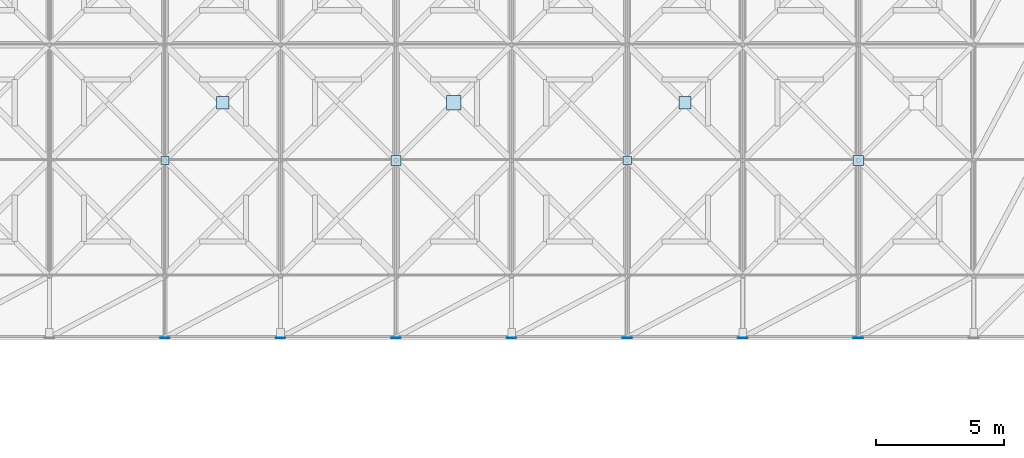
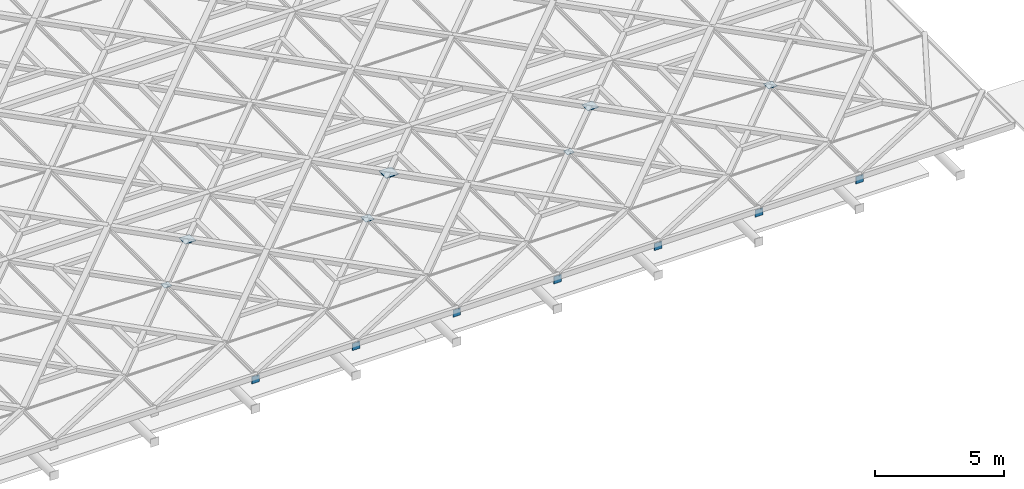
# One storey, part 67 of 80: 14 plates.
"""IFC4 building model written with IfcOpenShell, lengths in metres."""

from ifc_helpers import new_model, si_unit, direction, frame, origin, origin_2d, place, context, subcontext, project, spatial, rectangle, extrude, material, layer, layer_set, type_object, element, save


model = new_model("IFC4")

# Units and contexts
model_context = context("Model", 3, precision=1e-05, world=origin(), true_north=direction((0.0, 1.0)))
body_context = subcontext(model_context, "Body", "Model", "MODEL_VIEW")
ifc_project = project(units=[si_unit("LENGTHUNIT", "METRE"), si_unit("AREAUNIT", "SQUARE_METRE"), si_unit("VOLUMEUNIT", "CUBIC_METRE"), si_unit("PLANEANGLEUNIT", "RADIAN"), si_unit("MASSUNIT", "GRAM", prefix="KILO"), si_unit("THERMODYNAMICTEMPERATUREUNIT", "KELVIN"), si_unit("POWERUNIT", "WATT")], contexts=[model_context])

# Site, building, storey
site_placement = place(None, origin())
site = spatial("IfcSite", under=ifc_project, at=site_placement, CompositionType="ELEMENT")
building_placement = place(site_placement, origin())
building = spatial("IfcBuilding", under=site, at=building_placement, Name="Tallowbark Science Centre", CompositionType="ELEMENT")
storey_placement = place(building_placement, frame((0.0, 0.0, 25.949951171875)))
storey = spatial("IfcBuildingStorey", under=building, at=storey_placement, Name="ROOF", CompositionType="ELEMENT", Elevation=25.949951171875)

# Plates
ifc_material = material(Name="Structural Steel Grade 300PLUS (300 MPa)", Category="steel")
ifc_layer_1 = layer(ifc_material, 0.011962890625)
ifc_layer_set_1 = layer_set([ifc_layer_1], Name="Structural Steel Grade 300PLUS (300 MPa)")
plate_type_1 = type_object("IfcPlateType", Name="PLT-GUS-12", PredefinedType="SHEET", material=ifc_layer_set_1)
for number, where, z_axis, x_axis, name in (
    (1, (72.0, 9.0, 0.44384765625), (0.0, 0.0, 1.0), (1.0, 0.0, 0.0), "Star X-Brace Crossing Gusset Plate TOP-58"),
    (2, (90.0, 9.0, 0.44384765625), (0.0, 0.0, 1.0), (1.0, 0.0, 0.0), "Star X-Brace Crossing Gusset Plate TOP-66"),
):
    element("IfcPlate", number, at=place(storey_placement, frame(where, z_axis=z_axis, x_axis=x_axis)), inside=storey, type_object=plate_type_1, Name=name, PredefinedType="SHEET", context=body_context, shape_type="SweptSolid", body=[
        extrude(rectangle(XDim=0.320068359375, YDim=0.320068359375, at=origin_2d()), origin(), (0.0, 0.0, 1.0), 0.011962890625),
    ])
ifc_layer_2 = layer(ifc_material, 0.02001953125)
ifc_layer_set_2 = layer_set([ifc_layer_2], Name="Structural Steel Grade 300PLUS (300 MPa)")
plate_type_2 = type_object("IfcPlateType", Name="PLT-GUS-20", PredefinedType="SHEET", material=ifc_layer_set_2)
for number, where, z_axis, x_axis, name in (
    (3, (81.0, 9.0, 0.43994140625), (0.0, 0.0, 1.0), (1.0, 0.0, 0.0), "Star X-Brace Crossing Gusset Plate TOP-62"),
    (4, (99.0, 9.0, 0.43994140625), (0.0, 0.0, 1.0), (1.0, 0.0, 0.0), "Star X-Brace Crossing Gusset Plate TOP-70"),
):
    element("IfcPlate", number, at=place(storey_placement, frame(where, z_axis=z_axis, x_axis=x_axis)), inside=storey, type_object=plate_type_2, Name=name, PredefinedType="SHEET", context=body_context, shape_type="SweptSolid", body=[
        extrude(rectangle(XDim=0.39990234375, YDim=0.39990234375, at=origin_2d()), origin(), (0.0, 0.0, 1.0), 0.02001953125),
    ])
ifc_layer_3 = layer(ifc_material, 0.02001953125)
ifc_layer_set_3 = layer_set([ifc_layer_3], Name="Structural Steel Grade 300PLUS (300 MPa)")
plate_type_3 = type_object("IfcPlateType", Name="PLT-GUS-20B", PredefinedType="SHEET", material=ifc_layer_set_3)
for number, where, z_axis, x_axis, name in (
    (5, (72.0, 2.092041015625, 0.02001953125), (0.0, 0.0, 1.0), (1.0, 0.0, 0.0), "Truss Eave End Cap Plate S-4"),
    (6, (76.5, 2.092041015625, 0.02001953125), (0.0, 0.0, 1.0), (1.0, 0.0, 0.0), "Truss Eave End Cap Plate S-5"),
    (7, (81.0, 2.092041015625, 0.02001953125), (0.0, 0.0, 1.0), (1.0, 0.0, 0.0), "Truss Eave End Cap Plate S-6"),
    (8, (85.5, 2.092041015625, 0.02001953125), (0.0, 0.0, 1.0), (1.0, 0.0, 0.0), "Truss Eave End Cap Plate S-7"),
    (9, (90.0, 2.092041015625, 0.02001953125), (0.0, 0.0, 1.0), (1.0, 0.0, 0.0), "Truss Eave End Cap Plate S-8"),
    (10, (94.5, 2.092041015625, 0.02001953125), (0.0, 0.0, 1.0), (1.0, 0.0, 0.0), "Truss Eave End Cap Plate S-9"),
    (11, (99.0, 2.092041015625, 0.02001953125), (0.0, 0.0, 1.0), (1.0, 0.0, 0.0), "Truss Eave End Cap Plate S-10"),
):
    element("IfcPlate", number, at=place(storey_placement, frame(where, z_axis=z_axis, x_axis=x_axis)), inside=storey, type_object=plate_type_3, Name=name, PredefinedType="SHEET", context=body_context, shape_type="SweptSolid", body=[
        extrude(rectangle(XDim=0.340087890625, YDim=0.02001953125, at=origin_2d()), origin(), (0.0, 0.0, 1.0), 0.340087890625),
    ])
ifc_layer_4 = layer(ifc_material, 0.028076171875)
ifc_layer_set_4 = layer_set([ifc_layer_4], Name="Structural Steel Grade 300PLUS (300 MPa)")
plate_type_4 = type_object("IfcPlateType", Name="PLT-GUS-28", PredefinedType="SHEET", material=ifc_layer_set_4)
for number, where, z_axis, x_axis, name in (
    (12, (74.25, 11.25, 0.43603515625), (0.0, 0.0, 1.0), (1.0, 0.0, 0.0), "Star Primary Chord Crossing Gusset Plate TOP-58"),
    (13, (92.25, 11.25, 0.43603515625), (0.0, 0.0, 1.0), (1.0, 0.0, 0.0), "Star Primary Chord Crossing Gusset Plate TOP-66"),
):
    element("IfcPlate", number, at=place(storey_placement, frame(where, z_axis=z_axis, x_axis=x_axis)), inside=storey, type_object=plate_type_4, Name=name, PredefinedType="SHEET", context=body_context, shape_type="SweptSolid", body=[
        extrude(rectangle(XDim=0.47998046875, YDim=0.47998046875, at=origin_2d()), origin(), (0.0, 0.0, 1.0), 0.028076171875),
    ])
ifc_layer_5 = layer(ifc_material, 0.035888671875)
ifc_layer_set_5 = layer_set([ifc_layer_5], Name="Structural Steel Grade 300PLUS (300 MPa)")
plate_type_5 = type_object("IfcPlateType", Name="PLT-GUS-36", PredefinedType="SHEET", material=ifc_layer_set_5)
plate_placement = place(storey_placement, frame((83.25, 11.25, 0.43212890625), z_axis=(0.0, 0.0, 1.0), x_axis=(1.0, 0.0, 0.0)))
element("IfcPlate", 14, at=plate_placement, inside=storey, type_object=plate_type_5, Name="Star Primary Chord Crossing Gusset Plate TOP-62", PredefinedType="SHEET", context=body_context, shape_type="SweptSolid", body=[
    extrude(rectangle(XDim=0.56005859375, YDim=0.56005859375, at=origin_2d()), origin(), (0.0, 0.0, 1.0), 0.035888671875),
])

save(model, "model.ifc")
